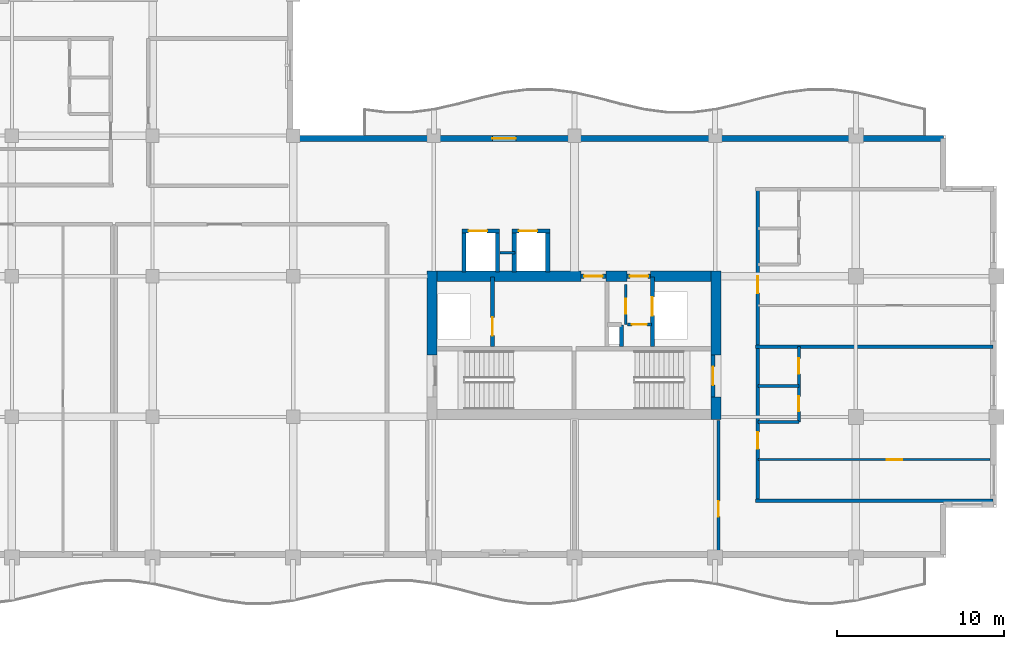
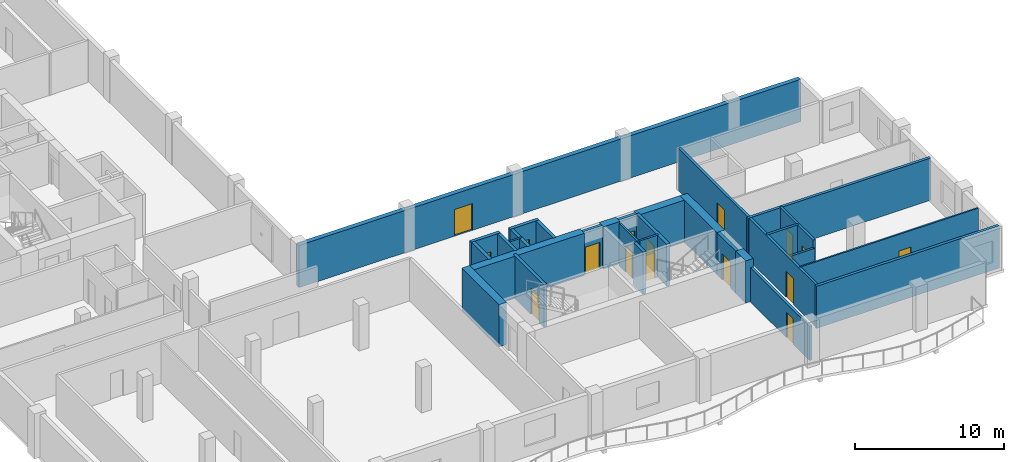
# One storey, part 4 of 12: 30 walls, 16 doors, 16 openings.
"""IFC4 building model written with IfcOpenShell, lengths in metres."""

from ifc_helpers import new_model, si_unit, direction, frame, frame_2d, origin, place, context, subcontext, project, spatial, rectangle, extrude, material, layer, layer_set, type_object, element, fill, save


model = new_model("IFC4")

# Units and contexts
model_context = context("Model", 3, precision=1e-05, world=origin(), true_north=direction((0.0, 1.0)))
body_context = subcontext(model_context, "Body", "Model", "MODEL_VIEW")
ifc_project = project(units=[si_unit("LENGTHUNIT", "METRE"), si_unit("AREAUNIT", "SQUARE_METRE"), si_unit("VOLUMEUNIT", "CUBIC_METRE"), si_unit("PLANEANGLEUNIT", "RADIAN"), si_unit("MASSUNIT", "GRAM", prefix="KILO")], contexts=[model_context])

# Site, building, storey
site_placement = place(None, origin())
site = spatial("IfcSite", under=ifc_project, at=site_placement, CompositionType="ELEMENT")
building_placement = place(site_placement, origin())
building = spatial("IfcBuilding", under=site, at=building_placement, Name="Koriwani Terraces Tower", CompositionType="ELEMENT")
storey_placement = place(building_placement, frame((0.0, 0.0, 271.199951171875)))
storey = spatial("IfcBuildingStorey", under=building, at=storey_placement, Name="L67", CompositionType="ELEMENT", Elevation=271.199951171875)

# Walls
ifc_material_1 = material(Name="Concrete C60/75", Category="concrete")
ifc_layer_1 = layer(ifc_material_1, 0.60009765625, Name="Concrete C60/75")
ifc_layer_set_1 = layer_set([ifc_layer_1], Name="Concrete C60/75")
wall_type_1 = type_object("IfcWallType", Name="WALL_CORE_RC_600", PredefinedType="SHEAR", material=ifc_layer_set_1)
wall_1_placement = place(storey_placement, frame((41.89990234375, 20.5, 0.0), z_axis=(0.0, 0.0, 1.0), x_axis=(0.0, 1.0, 0.0)))
element("IfcWall", 1, at=wall_1_placement, inside=storey, type_object=wall_type_1, Name="L67 East Split Core Shear Wall W2", PredefinedType="SHEAR", context=body_context, shape_type="SweptSolid", body=[
    extrude(rectangle(XDim=5.0, YDim=0.60009765625, at=frame_2d((2.5, 0.0))), origin(), (0.0, 0.0, 1.0), 3.469970703125),
])
wall_2_placement = place(storey_placement, frame((58.85009765625, 16.64990234375, 0.0), z_axis=(0.0, 0.0, 1.0), x_axis=(0.0, 1.0, 0.0)))
element("IfcWall", 2, at=wall_2_placement, inside=storey, type_object=wall_type_1, Name="L67 East Split Core Shear Wall E1", PredefinedType="SHEAR", context=body_context, shape_type="SweptSolid", body=[
    extrude(rectangle(XDim=1.35009765625, YDim=0.60009765625, at=frame_2d((0.675048828125, 0.0))), origin(), (0.0, 0.0, 1.0), 3.469970703125),
])
wall_3_placement = place(storey_placement, frame((58.85009765625, 20.5, 0.0), z_axis=(0.0, 0.0, 1.0), x_axis=(0.0, 1.0, 0.0)))
element("IfcWall", 3, at=wall_3_placement, inside=storey, type_object=wall_type_1, Name="L67 East Split Core Shear Wall E2", PredefinedType="SHEAR", context=body_context, shape_type="SweptSolid", body=[
    extrude(rectangle(XDim=5.0, YDim=0.60009765625, at=frame_2d((2.5, 0.0))), origin(), (0.0, 0.0, 1.0), 3.469970703125),
])
wall_4_placement = place(storey_placement, frame((42.199951171875, 25.199951171875, 0.0), z_axis=(0.0, 0.0, 1.0), x_axis=(1.0, 0.0, 0.0)))
element("IfcWall", 4, at=wall_4_placement, inside=storey, type_object=wall_type_1, Name="L67 East Split Core Shear Wall N1", PredefinedType="SHEAR", context=body_context, shape_type="SweptSolid", body=[
    extrude(rectangle(XDim=8.60009765625, YDim=0.60009765625, at=frame_2d((4.300048828125, 0.0))), origin(), (0.0, 0.0, 1.0), 3.469970703125),
])
wall_5_placement = place(storey_placement, frame((52.280029296875, 25.199951171875, 0.0), z_axis=(0.0, 0.0, 1.0), x_axis=(1.0, 0.0, 0.0)))
element("IfcWall", 5, at=wall_5_placement, inside=storey, type_object=wall_type_1, Name="L67 East Split Core Shear Wall N2", PredefinedType="SHEAR", context=body_context, shape_type="SweptSolid", body=[
    extrude(rectangle(XDim=1.27001953125, YDim=0.60009765625, at=frame_2d((0.635009765625, 0.0))), origin(), (0.0, 0.0, 1.0), 3.469970703125),
])
wall_6_placement = place(storey_placement, frame((54.949951171875, 25.199951171875, 0.0), z_axis=(0.0, 0.0, 1.0), x_axis=(1.0, 0.0, 0.0)))
element("IfcWall", 6, at=wall_6_placement, inside=storey, type_object=wall_type_1, Name="L67 East Split Core Shear Wall N3", PredefinedType="SHEAR", context=body_context, shape_type="SweptSolid", body=[
    extrude(rectangle(XDim=3.60009765625, YDim=0.60009765625, at=frame_2d((1.800048828125, 0.0))), origin(), (0.0, 0.0, 1.0), 3.469970703125),
])

# Wall, opening, door
ifc_material_2 = material(Name="Autoclaved Cellular Concrete Blockwork", Category="masonry")
ifc_layer_2 = layer(ifc_material_2, 0.199951171875, Name="Autoclaved Cellular Concrete Blockwork")
ifc_layer_set_2 = layer_set([ifc_layer_2], Name="Autoclaved Cellular Concrete Blockwork")
wall_type_2 = type_object("IfcWallType", Name="WALL_CORRIDOR_200", PredefinedType="PARTITIONING", material=ifc_layer_set_2)
wall_7_placement = place(storey_placement, frame((59.0, 8.64990234375, 0.0), z_axis=(0.0, 0.0, 1.0), x_axis=(0.0, 1.0, 0.0)))
wall_7 = element("IfcWall", 7, at=wall_7_placement, inside=storey, type_object=wall_type_2, Name="L67 Interior Wall WRZ4-EE-L67", PredefinedType="PARTITIONING", context=body_context, shape_type="SweptSolid", body=[
    extrude(rectangle(XDim=7.9501953125, YDim=0.199951171875, at=frame_2d((3.97509765625, 0.0))), origin(), (0.0, 0.0, 1.0), 2.820068359375),
])
opening_1_placement = place(wall_7_placement, frame((2.199951171875, 0.0, 0.0)))
opening_1 = element("IfcOpeningElement", 8, at=opening_1_placement, cuts=wall_7, Name="Opening D-06", PredefinedType="OPENING", context=body_context, shape_type="SweptSolid", body=[
    extrude(rectangle(XDim=0.919921875, YDim=2.10009765625, at=frame_2d((0.4599609375, 1.050048828125))), frame((0.0, 0.10986328125, 0.0), z_axis=(0.0, -1.0, 0.0), x_axis=(1.0, 0.0, 0.0)), (0.0, 0.0, 1.0), 0.219970703125),
])
ifc_material_3 = material(Name="Architectural Oak Fire Door", Category="wood")
door_type_1 = type_object("IfcDoorType", Name="DOOR_ROOM_INT_920X2100", OperationType="NOTDEFINED", PredefinedType="DOOR", material=ifc_material_3)
door_1_placement = place(opening_1_placement, origin())
door_1 = element("IfcDoor", 9, at=door_1_placement, inside=storey, type_object=door_type_1, Name="L67 Resident Laundry Room Door", OperationType="SINGLE_SWING_LEFT", OverallHeight=2.10009765625, OverallWidth=0.919921875, PredefinedType="DOOR", context=body_context, shape_type="SweptSolid", body=[
    extrude(rectangle(XDim=0.919921875, YDim=2.10009765625, at=frame_2d((0.4599609375, 1.050048828125))), frame((0.0, 0.02490234375, 0.0), z_axis=(0.0, -1.0, 0.0), x_axis=(1.0, 0.0, 0.0)), (0.0, 0.0, 1.0), 0.050048828125),
])
fill(opening_1, door_1)

# Wall, openings, doors
wall_8_placement = place(storey_placement, frame((61.35009765625, 11.800048828125, 0.0), z_axis=(0.0, 0.0, 1.0), x_axis=(0.0, 1.0, 0.0)))
wall_8 = element("IfcWall", 10, at=wall_8_placement, inside=storey, type_object=wall_type_2, Name="L67 Interior Wall WRCOR-L67-ETE-0", PredefinedType="PARTITIONING", context=body_context, shape_type="SweptSolid", body=[
    extrude(rectangle(XDim=18.599853515625, YDim=0.199951171875, at=frame_2d((9.2998046875, 0.0))), origin(), (0.0, 0.0, 1.0), 3.469970703125),
])
opening_2_placement = place(wall_8_placement, frame((3.094970703125, 0.0, 0.0)))
opening_2 = element("IfcOpeningElement", 11, at=opening_2_placement, cuts=wall_8, Name="Opening D-05", PredefinedType="OPENING", context=body_context, shape_type="SweptSolid", body=[
    extrude(rectangle(XDim=1.0, YDim=2.14990234375, at=frame_2d((0.5, 1.074951171875))), frame((0.0, 0.10986328125, 0.0), z_axis=(0.0, -1.0, 0.0), x_axis=(1.0, 0.0, 0.0)), (0.0, 0.0, 1.0), 0.219970703125),
])
opening_3_placement = place(wall_8_placement, frame((12.39501953125, 0.0, 0.0)))
opening_3 = element("IfcOpeningElement", 12, at=opening_3_placement, cuts=wall_8, Name="Opening D-05", PredefinedType="OPENING", context=body_context, shape_type="SweptSolid", body=[
    extrude(rectangle(XDim=1.0, YDim=2.14990234375, at=frame_2d((0.5, 1.074951171875))), frame((0.0, 0.10986328125, 0.0), z_axis=(0.0, -1.0, 0.0), x_axis=(1.0, 0.0, 0.0)), (0.0, 0.0, 1.0), 0.219970703125),
])
door_type_2 = type_object("IfcDoorType", Name="DOOR_SUITE_ENTRY_1000X2150", OperationType="NOTDEFINED", PredefinedType="DOOR", material=ifc_material_3)
door_2_placement = place(opening_2_placement, origin())
door_2 = element("IfcDoor", 13, at=door_2_placement, inside=storey, type_object=door_type_2, Name="Apartment 67ETE1 Entrance Door", OperationType="SINGLE_SWING_LEFT", OverallHeight=2.14990234375, OverallWidth=1.0, PredefinedType="DOOR", context=body_context, shape_type="SweptSolid", body=[
    extrude(rectangle(XDim=1.0, YDim=2.14990234375, at=frame_2d((0.5, 1.074951171875))), frame((0.0, 0.02490234375, 0.0), z_axis=(0.0, -1.0, 0.0), x_axis=(1.0, 0.0, 0.0)), (0.0, 0.0, 1.0), 0.050048828125),
])
fill(opening_2, door_2)
door_3_placement = place(opening_3_placement, origin())
door_3 = element("IfcDoor", 14, at=door_3_placement, inside=storey, type_object=door_type_2, Name="Apartment 67ETE2 Entrance Door", OperationType="SINGLE_SWING_LEFT", OverallHeight=2.14990234375, OverallWidth=1.0, PredefinedType="DOOR", context=body_context, shape_type="SweptSolid", body=[
    extrude(rectangle(XDim=1.0, YDim=2.14990234375, at=frame_2d((0.5, 1.074951171875))), frame((0.0, 0.02490234375, 0.0), z_axis=(0.0, -1.0, 0.0), x_axis=(1.0, 0.0, 0.0)), (0.0, 0.0, 1.0), 0.050048828125),
])
fill(opening_3, door_3)

# Walls
ifc_layer_3 = layer(ifc_material_2, 0.219970703125, Name="Autoclaved Cellular Concrete Blockwork")
ifc_layer_set_3 = layer_set([ifc_layer_3], Name="Autoclaved Cellular Concrete Blockwork")
wall_type_3 = type_object("IfcWallType", Name="WALL_DEMISING_220", PredefinedType="PARTITIONING", material=ifc_layer_set_3)
for number, where, z_axis, x_axis, name in (
    (15, (61.199951171875, 11.800048828125, 0.0), (0.0, 0.0, 1.0), (1.0, 0.0, 0.0), "L67 Interior Wall WRDEM-L67-ETE-0"),
    (16, (61.199951171875, 21.0, 0.0), (0.0, 0.0, 1.0), (1.0, 0.0, 0.0), "L67 Interior Wall WRDEM-L67-ETE-1"),
):
    element("IfcWall", number, at=place(storey_placement, frame(where, z_axis=z_axis, x_axis=x_axis)), inside=storey, type_object=wall_type_3, Name=name, PredefinedType="PARTITIONING", context=body_context, shape_type="SweptSolid", body=[
        extrude(rectangle(XDim=14.199951171875, YDim=0.219970703125, at=frame_2d((7.10009765625, 0.0))), origin(), (0.0, 0.0, 1.0), 3.469970703125),
    ])

# Wall, opening, door
ifc_material_4 = material(Name="Concrete C50/60", Category="concrete")
ifc_layer_4 = layer(ifc_material_4, 0.35009765625, Name="Concrete C50/60")
ifc_layer_set_4 = layer_set([ifc_layer_4], Name="Concrete C50/60")
wall_type_4 = type_object("IfcWallType", Name="WALL_EXT_BRUTALIST_350", PredefinedType="STANDARD", material=ifc_layer_set_4)
wall_9_placement = place(storey_placement, frame((33.425048828125, 33.425048828125, 0.0), z_axis=(0.0, 0.0, 1.0), x_axis=(1.0, 0.0, 0.0)))
wall_9 = element("IfcWall", 17, at=wall_9_placement, inside=storey, type_object=wall_type_4, Name="L67 Fair-Faced Brutalist Exterior Wall (NE)", PredefinedType="STANDARD", context=body_context, shape_type="SweptSolid", body=[
    extrude(rectangle(XDim=39.0, YDim=0.35009765625, at=frame_2d((19.5, 0.0))), origin(), (0.0, 0.0, 1.0), 3.469970703125),
])
opening_4_placement = place(wall_9_placement, frame((12.074951171875, 0.0, 0.0)))
opening_4 = element("IfcOpeningElement", 18, at=opening_4_placement, cuts=wall_9, Name="Opening D-09", PredefinedType="OPENING", context=body_context, shape_type="SweptSolid", body=[
    extrude(rectangle(XDim=1.39990234375, YDim=2.199951171875, at=frame_2d((0.699951171875, 1.10009765625))), frame((0.0, 0.18505859375, 0.0), z_axis=(0.0, -1.0, 0.0), x_axis=(1.0, 0.0, 0.0)), (0.0, 0.0, 1.0), 0.3701171875),
])
ifc_material_5 = material(Name="Anodised Bronze Aluminium", Category="aluminium")
door_type_3 = type_object("IfcDoorType", Name="DOOR_BALCONY_GLAZED_1400X2200", OperationType="NOTDEFINED", PredefinedType="DOOR", material=ifc_material_5)
door_4_placement = place(opening_4_placement, origin())
door_4 = element("IfcDoor", 19, at=door_4_placement, inside=storey, type_object=door_type_3, Name="L67 Inner Court Balcony Glazed Door", OperationType="SINGLE_SWING_LEFT", OverallHeight=2.199951171875, OverallWidth=1.39990234375, PredefinedType="DOOR", context=body_context, shape_type="SweptSolid", body=[
    extrude(rectangle(XDim=1.39990234375, YDim=2.199951171875, at=frame_2d((0.699951171875, 1.10009765625))), frame((0.0, 0.02490234375, 0.0), z_axis=(0.0, -1.0, 0.0), x_axis=(1.0, 0.0, 0.0)), (0.0, 0.0, 1.0), 0.050048828125),
])
fill(opening_4, door_4)

ifc_material_6 = material(Name="Fire-Rated Acoustic Gypsum Partition", Category="masonry")
ifc_layer_5 = layer(ifc_material_6, 0.125, Name="Fire-Rated Acoustic Gypsum Partition")
ifc_layer_set_5 = layer_set([ifc_layer_5], Name="Fire-Rated Acoustic Gypsum Partition")
wall_type_5 = type_object("IfcWallType", Name="WALL_INT_125", PredefinedType="PARTITIONING", material=ifc_layer_set_5)
wall_10_placement = place(storey_placement, frame((61.35009765625, 14.25, 0.0), z_axis=(0.0, 0.0, 1.0), x_axis=(1.0, 0.0, 0.0)))
wall_10 = element("IfcWall", 20, at=wall_10_placement, inside=storey, type_object=wall_type_5, Name="L67 Interior Wall WRBED1-L67-ETE-0", PredefinedType="PARTITIONING", context=body_context, shape_type="SweptSolid", body=[
    extrude(rectangle(XDim=13.869873046875, YDim=0.125, at=frame_2d((6.93505859375, 0.0))), origin(), (0.0, 0.0, 1.0), 3.469970703125),
])
opening_5_placement = place(wall_10_placement, frame((7.699951171875, 0.0, 0.0)))
opening_5 = element("IfcOpeningElement", 21, at=opening_5_placement, cuts=wall_10, Name="Opening D-06", PredefinedType="OPENING", context=body_context, shape_type="SweptSolid", body=[
    extrude(rectangle(XDim=0.919921875, YDim=2.10009765625, at=frame_2d((0.4599609375, 1.050048828125))), frame((0.0, 0.072509765625, 0.0), z_axis=(0.0, -1.0, 0.0), x_axis=(1.0, 0.0, 0.0)), (0.0, 0.0, 1.0), 0.14501953125),
])
door_5_placement = place(opening_5_placement, origin())
door_5 = element("IfcDoor", 22, at=door_5_placement, inside=storey, type_object=door_type_1, Name="Apartment 67ETE1 Master Bedroom Door", OperationType="SINGLE_SWING_RIGHT", OverallHeight=2.10009765625, OverallWidth=0.919921875, PredefinedType="DOOR", context=body_context, shape_type="SweptSolid", body=[
    extrude(rectangle(XDim=0.919921875, YDim=2.10009765625, at=frame_2d((0.4599609375, 1.050048828125))), frame((0.0, 0.02490234375, 0.0), z_axis=(0.0, -1.0, 0.0), x_axis=(1.0, 0.0, 0.0)), (0.0, 0.0, 1.0), 0.050048828125),
])
fill(opening_5, door_5)

# Wall, openings, doors
ifc_layer_6 = layer(ifc_material_6, 0.179931640625, Name="Fire-Rated Acoustic Gypsum Partition")
ifc_layer_set_6 = layer_set([ifc_layer_6], Name="Fire-Rated Acoustic Gypsum Partition")
wall_type_6 = type_object("IfcWallType", Name="WALL_PLUMBING_180", PredefinedType="PLUMBINGWALL", material=ifc_layer_set_6)
wall_11_placement = place(storey_placement, frame((63.800048828125, 16.5, 0.0), z_axis=(0.0, 0.0, 1.0), x_axis=(0.0, 1.0, 0.0)))
wall_11 = element("IfcWall", 23, at=wall_11_placement, inside=storey, type_object=wall_type_6, Name="L67 Interior Wall WRSVC-L67-ETE-0", PredefinedType="PLUMBINGWALL", context=body_context, shape_type="SweptSolid", body=[
    extrude(rectangle(XDim=4.5, YDim=0.179931640625, at=frame_2d((2.25, 0.0))), origin(), (0.0, 0.0, 1.0), 3.469970703125),
])
opening_6_placement = place(wall_11_placement, frame((0.6298828125, 0.0, 0.0)))
opening_6 = element("IfcOpeningElement", 24, at=opening_6_placement, cuts=wall_11, Name="Opening D-07", PredefinedType="OPENING", context=body_context, shape_type="SweptSolid", body=[
    extrude(rectangle(XDim=0.89990234375, YDim=2.10009765625, at=frame_2d((0.449951171875, 1.050048828125))), frame((0.0, 0.10009765625, 0.0), z_axis=(0.0, -1.0, 0.0), x_axis=(1.0, 0.0, 0.0)), (0.0, 0.0, 1.0), 0.199951171875),
])
opening_7_placement = place(wall_11_placement, frame((2.8701171875, 0.0, 0.0)))
opening_7 = element("IfcOpeningElement", 25, at=opening_7_placement, cuts=wall_11, Name="Opening D-06", PredefinedType="OPENING", context=body_context, shape_type="SweptSolid", body=[
    extrude(rectangle(XDim=0.919921875, YDim=2.10009765625, at=frame_2d((0.4599609375, 1.050048828125))), frame((0.0, 0.10009765625, 0.0), z_axis=(0.0, -1.0, 0.0), x_axis=(1.0, 0.0, 0.0)), (0.0, 0.0, 1.0), 0.199951171875),
])
door_type_4 = type_object("IfcDoorType", Name="DOOR_BATH_INT_900X2100", OperationType="NOTDEFINED", PredefinedType="DOOR", material=ifc_material_3)
door_6_placement = place(opening_6_placement, origin())
door_6 = element("IfcDoor", 26, at=door_6_placement, inside=storey, type_object=door_type_4, Name="Apartment 67ETE1 Bathroom Door", OperationType="SINGLE_SWING_RIGHT", OverallHeight=2.10009765625, OverallWidth=0.89990234375, PredefinedType="DOOR", context=body_context, shape_type="SweptSolid", body=[
    extrude(rectangle(XDim=0.89990234375, YDim=2.10009765625, at=frame_2d((0.449951171875, 1.050048828125))), frame((0.0, 0.02490234375, 0.0), z_axis=(0.0, -1.0, 0.0), x_axis=(1.0, 0.0, 0.0)), (0.0, 0.0, 1.0), 0.050048828125),
])
fill(opening_6, door_6)
door_7_placement = place(opening_7_placement, origin())
door_7 = element("IfcDoor", 27, at=door_7_placement, inside=storey, type_object=door_type_1, Name="Apartment 67ETE1 Kitchen Door", OperationType="SINGLE_SWING_LEFT", OverallHeight=2.10009765625, OverallWidth=0.919921875, PredefinedType="DOOR", context=body_context, shape_type="SweptSolid", body=[
    extrude(rectangle(XDim=0.919921875, YDim=2.10009765625, at=frame_2d((0.4599609375, 1.050048828125))), frame((0.0, 0.02490234375, 0.0), z_axis=(0.0, -1.0, 0.0), x_axis=(1.0, 0.0, 0.0)), (0.0, 0.0, 1.0), 0.050048828125),
])
fill(opening_7, door_7)

# Walls
wall_12_placement = place(storey_placement, frame((61.35009765625, 16.5, 0.0), z_axis=(0.0, 0.0, 1.0), x_axis=(1.0, 0.0, 0.0)))
element("IfcWall", 28, at=wall_12_placement, inside=storey, type_object=wall_type_6, Name="L67 Interior Wall WRSVCS-L67-ETE-0", PredefinedType="PLUMBINGWALL", context=body_context, shape_type="SweptSolid", body=[
    extrude(rectangle(XDim=2.449951171875, YDim=0.179931640625, at=frame_2d((1.22509765625, 0.0))), origin(), (0.0, 0.0, 1.0), 2.820068359375),
])
wall_13_placement = place(storey_placement, frame((61.35009765625, 18.659912109375, 0.0), z_axis=(0.0, 0.0, 1.0), x_axis=(1.0, 0.0, 0.0)))
element("IfcWall", 29, at=wall_13_placement, inside=storey, type_object=wall_type_6, Name="L67 Interior Wall WRSVCM-L67-ETE-0", PredefinedType="PLUMBINGWALL", context=body_context, shape_type="SweptSolid", body=[
    extrude(rectangle(XDim=2.449951171875, YDim=0.179931640625, at=frame_2d((1.22509765625, 0.0))), origin(), (0.0, 0.0, 1.0), 3.469970703125),
])

# Wall, opening, door
ifc_material_7 = material(Name="Concrete C40/50", Category="concrete")
ifc_layer_7 = layer(ifc_material_7, 0.25, Name="Concrete C40/50")
ifc_layer_set_7 = layer_set([ifc_layer_7], Name="Concrete C40/50")
wall_type_7 = type_object("IfcWallType", Name="WALL_SHAFT_RATED_250", PredefinedType="SOLIDWALL", material=ifc_layer_set_7)
wall_14_placement = place(storey_placement, frame((58.675048828125, 18.0, 0.0), z_axis=(0.0, 0.0, 1.0), x_axis=(0.0, 1.0, 0.0)))
wall_14 = element("IfcWall", 30, at=wall_14_placement, inside=storey, type_object=wall_type_7, Name="L67 Interior Wall WIN-CE-L67-STE", PredefinedType="SOLIDWALL", context=body_context, shape_type="SweptSolid", body=[
    extrude(rectangle(XDim=2.5, YDim=0.25, at=frame_2d((1.25, 0.0))), origin(), (0.0, 0.0, 1.0), 3.469970703125),
])
opening_8_placement = place(wall_14_placement, frame((0.699951171875, 0.0, 0.0)))
opening_8 = element("IfcOpeningElement", 31, at=opening_8_placement, cuts=wall_14, Name="Opening D-03", PredefinedType="OPENING", context=body_context, shape_type="SweptSolid", body=[
    extrude(rectangle(XDim=1.10009765625, YDim=2.14990234375, at=frame_2d((0.550048828125, 1.074951171875))), frame((0.0, 0.135009765625, 0.0), z_axis=(0.0, -1.0, 0.0), x_axis=(1.0, 0.0, 0.0)), (0.0, 0.0, 1.0), 0.27001953125),
])
ifc_material_8 = material(Name="Steel ASTM A572 Grade 50", Category="steel")
door_type_5 = type_object("IfcDoorType", Name="DOOR_STAIR_FIRE_1100X2150", OperationType="NOTDEFINED", PredefinedType="DOOR", material=ifc_material_8)
door_8_placement = place(opening_8_placement, origin())
door_8 = element("IfcDoor", 32, at=door_8_placement, inside=storey, type_object=door_type_5, Name="L67 Exit Stair ST-E2 Door", OperationType="SINGLE_SWING_RIGHT", OverallHeight=2.14990234375, OverallWidth=1.10009765625, PredefinedType="DOOR", context=body_context, shape_type="SweptSolid", body=[
    extrude(rectangle(XDim=1.10009765625, YDim=2.14990234375, at=frame_2d((0.550048828125, 1.074951171875))), frame((0.0, 0.02490234375, 0.0), z_axis=(0.0, -1.0, 0.0), x_axis=(1.0, 0.0, 0.0)), (0.0, 0.0, 1.0), 0.050048828125),
])
fill(opening_8, door_8)

wall_15_placement = place(storey_placement, frame((45.5, 21.0, 0.0), z_axis=(0.0, 0.0, 1.0), x_axis=(0.0, 1.0, 0.0)))
wall_15 = element("IfcWall", 33, at=wall_15_placement, inside=storey, type_object=wall_type_7, Name="L67 Interior Wall WIN-CE-L67-FE", PredefinedType="SOLIDWALL", context=body_context, shape_type="SweptSolid", body=[
    extrude(rectangle(XDim=4.14990234375, YDim=0.25, at=frame_2d((2.074951171875, 0.0))), origin(), (0.0, 0.0, 1.0), 3.469970703125),
])
opening_9_placement = place(wall_15_placement, frame((0.64990234375, 0.0, 0.0)))
opening_9 = element("IfcOpeningElement", 34, at=opening_9_placement, cuts=wall_15, Name="Opening LD-01", PredefinedType="OPENING", context=body_context, shape_type="SweptSolid", body=[
    extrude(rectangle(XDim=1.10009765625, YDim=2.14990234375, at=frame_2d((0.550048828125, 1.074951171875))), frame((0.0, 0.135009765625, 0.0), z_axis=(0.0, -1.0, 0.0), x_axis=(1.0, 0.0, 0.0)), (0.0, 0.0, 1.0), 0.27001953125),
])
door_type_6 = type_object("IfcDoorType", Name="DOOR_LIFT_LANDING_1100X2200", OperationType="NOTDEFINED", PredefinedType="DOOR", material=ifc_material_8)
door_9_placement = place(opening_9_placement, origin())
door_9 = element("IfcDoor", 35, at=door_9_placement, inside=storey, type_object=door_type_6, Name="L67 Firefighting Lift FE-02 Landing Door", OperationType="SLIDING_TO_LEFT", OverallHeight=2.14990234375, OverallWidth=1.10009765625, PredefinedType="DOOR", context=body_context, shape_type="SweptSolid", body=[
    extrude(rectangle(XDim=1.10009765625, YDim=2.14990234375, at=frame_2d((0.550048828125, 1.074951171875))), frame((0.0, 0.02490234375, 0.0), z_axis=(0.0, -1.0, 0.0), x_axis=(1.0, 0.0, 0.0)), (0.0, 0.0, 1.0), 0.050048828125),
])
fill(opening_9, door_9)

wall_16_placement = place(storey_placement, frame((50.800048828125, 25.199951171875, 0.0), z_axis=(0.0, 0.0, 1.0), x_axis=(1.0, 0.0, 0.0)))
wall_16 = element("IfcWall", 36, at=wall_16_placement, inside=storey, type_object=wall_type_7, Name="L67 Interior Wall WIN-CE-L67-NP", PredefinedType="SOLIDWALL", context=body_context, shape_type="SweptSolid", body=[
    extrude(rectangle(XDim=1.47998046875, YDim=0.25, at=frame_2d((0.739990234375, 0.0))), origin(), (0.0, 0.0, 1.0), 3.469970703125),
])
opening_10_placement = place(wall_16_placement, frame((0.179931640625, 0.0, 0.0)))
opening_10 = element("IfcOpeningElement", 37, at=opening_10_placement, cuts=wall_16, Name="Opening D-03", PredefinedType="OPENING", context=body_context, shape_type="SweptSolid", body=[
    extrude(rectangle(XDim=1.10009765625, YDim=2.14990234375, at=frame_2d((0.550048828125, 1.074951171875))), frame((0.0, 0.135009765625, 0.0), z_axis=(0.0, -1.0, 0.0), x_axis=(1.0, 0.0, 0.0)), (0.0, 0.0, 1.0), 0.27001953125),
])
door_10_placement = place(opening_10_placement, origin())
door_10 = element("IfcDoor", 38, at=door_10_placement, inside=storey, type_object=door_type_5, Name="L67 East Firefighting Lobby Door", OperationType="SINGLE_SWING_LEFT", OverallHeight=2.14990234375, OverallWidth=1.10009765625, PredefinedType="DOOR", context=body_context, shape_type="SweptSolid", body=[
    extrude(rectangle(XDim=1.10009765625, YDim=2.14990234375, at=frame_2d((0.550048828125, 1.074951171875))), frame((0.0, 0.02490234375, 0.0), z_axis=(0.0, -1.0, 0.0), x_axis=(1.0, 0.0, 0.0)), (0.0, 0.0, 1.0), 0.050048828125),
])
fill(opening_10, door_10)

wall_17_placement = place(storey_placement, frame((55.050048828125, 21.0, 0.0), z_axis=(0.0, 0.0, 1.0), x_axis=(0.0, 1.0, 0.0)))
wall_17 = element("IfcWall", 39, at=wall_17_placement, inside=storey, type_object=wall_type_7, Name="L67 Interior Wall WIN-CE-L67-SE", PredefinedType="SOLIDWALL", context=body_context, shape_type="SweptSolid", body=[
    extrude(rectangle(XDim=4.14990234375, YDim=0.25, at=frame_2d((2.074951171875, 0.0))), origin(), (0.0, 0.0, 1.0), 3.469970703125),
])
opening_11_placement = place(wall_17_placement, frame((1.85009765625, 0.0, 0.0)))
opening_11 = element("IfcOpeningElement", 40, at=opening_11_placement, cuts=wall_17, Name="Opening LD-01", PredefinedType="OPENING", context=body_context, shape_type="SweptSolid", body=[
    extrude(rectangle(XDim=1.10009765625, YDim=2.14990234375, at=frame_2d((0.550048828125, 1.074951171875))), frame((0.0, 0.135009765625, 0.0), z_axis=(0.0, -1.0, 0.0), x_axis=(1.0, 0.0, 0.0)), (0.0, 0.0, 1.0), 0.27001953125),
])
door_11_placement = place(opening_11_placement, origin())
door_11 = element("IfcDoor", 41, at=door_11_placement, inside=storey, type_object=door_type_6, Name="L67 Goods Lift SE-02 Landing Door", OperationType="SLIDING_TO_LEFT", OverallHeight=2.14990234375, OverallWidth=1.10009765625, PredefinedType="DOOR", context=body_context, shape_type="SweptSolid", body=[
    extrude(rectangle(XDim=1.10009765625, YDim=2.14990234375, at=frame_2d((0.550048828125, 1.074951171875))), frame((0.0, 0.02490234375, 0.0), z_axis=(0.0, -1.0, 0.0), x_axis=(1.0, 0.0, 0.0)), (0.0, 0.0, 1.0), 0.050048828125),
])
fill(opening_11, door_11)

wall_18_placement = place(storey_placement, frame((53.550048828125, 25.199951171875, 0.0), z_axis=(0.0, 0.0, 1.0), x_axis=(1.0, 0.0, 0.0)))
wall_18 = element("IfcWall", 42, at=wall_18_placement, inside=storey, type_object=wall_type_7, Name="L67 Interior Wall WIN-CE-L67-NP2", PredefinedType="SOLIDWALL", context=body_context, shape_type="SweptSolid", body=[
    extrude(rectangle(XDim=1.39990234375, YDim=0.25, at=frame_2d((0.699951171875, 0.0))), origin(), (0.0, 0.0, 1.0), 3.469970703125),
])
opening_12_placement = place(wall_18_placement, frame((0.14990234375, 0.0, 0.0)))
opening_12 = element("IfcOpeningElement", 43, at=opening_12_placement, cuts=wall_18, Name="Opening D-03", PredefinedType="OPENING", context=body_context, shape_type="SweptSolid", body=[
    extrude(rectangle(XDim=1.10009765625, YDim=2.14990234375, at=frame_2d((0.550048828125, 1.074951171875))), frame((0.0, 0.135009765625, 0.0), z_axis=(0.0, -1.0, 0.0), x_axis=(1.0, 0.0, 0.0)), (0.0, 0.0, 1.0), 0.27001953125),
])
door_12_placement = place(opening_12_placement, origin())
door_12 = element("IfcDoor", 44, at=door_12_placement, inside=storey, type_object=door_type_5, Name="L67 East Goods Lift Lobby Door", OperationType="SINGLE_SWING_RIGHT", OverallHeight=2.14990234375, OverallWidth=1.10009765625, PredefinedType="DOOR", context=body_context, shape_type="SweptSolid", body=[
    extrude(rectangle(XDim=1.10009765625, YDim=2.14990234375, at=frame_2d((0.550048828125, 1.074951171875))), frame((0.0, 0.02490234375, 0.0), z_axis=(0.0, -1.0, 0.0), x_axis=(1.0, 0.0, 0.0)), (0.0, 0.0, 1.0), 0.050048828125),
])
fill(opening_12, door_12)

# Wall
wall_19_placement = place(storey_placement, frame((53.199951171875, 21.0, 0.0), z_axis=(0.0, 0.0, 1.0), x_axis=(0.0, 1.0, 0.0)))
element("IfcWall", 45, at=wall_19_placement, inside=storey, type_object=wall_type_7, Name="L67 Interior Wall WIN-CE-L67-RS1", PredefinedType="SOLIDWALL", context=body_context, shape_type="SweptSolid", body=[
    extrude(rectangle(XDim=1.300048828125, YDim=0.25, at=frame_2d((0.64990234375, 0.0))), origin(), (0.0, 0.0, 1.0), 3.469970703125),
])

# Wall, opening, door
wall_20_placement = place(storey_placement, frame((43.675048828125, 27.89990234375, 0.0), z_axis=(0.0, 0.0, 1.0), x_axis=(1.0, 0.0, 0.0)))
wall_20 = element("IfcWall", 46, at=wall_20_placement, inside=storey, type_object=wall_type_7, Name="L67 Interior Wall WIN-LF-PE-H3-L67-F", PredefinedType="SOLIDWALL", context=body_context, shape_type="SweptSolid", body=[
    extrude(rectangle(XDim=2.25, YDim=0.25, at=frame_2d((1.125, 0.0))), origin(), (0.0, 0.0, 1.0), 3.469970703125),
])
opening_13_placement = place(wall_20_placement, frame((0.39990234375, 0.0, 0.0)))
opening_13 = element("IfcOpeningElement", 47, at=opening_13_placement, cuts=wall_20, Name="Opening LD-01", PredefinedType="OPENING", context=body_context, shape_type="SweptSolid", body=[
    extrude(rectangle(XDim=1.10009765625, YDim=2.14990234375, at=frame_2d((0.550048828125, 1.074951171875))), frame((0.0, 0.135009765625, 0.0), z_axis=(0.0, -1.0, 0.0), x_axis=(1.0, 0.0, 0.0)), (0.0, 0.0, 1.0), 0.27001953125),
])
door_13_placement = place(opening_13_placement, origin())
door_13 = element("IfcDoor", 48, at=door_13_placement, inside=storey, type_object=door_type_6, Name="L67 Passenger Lift PE-H3 Landing Door", OperationType="SLIDING_TO_LEFT", OverallHeight=2.14990234375, OverallWidth=1.10009765625, PredefinedType="DOOR", context=body_context, shape_type="SweptSolid", body=[
    extrude(rectangle(XDim=1.10009765625, YDim=2.14990234375, at=frame_2d((0.550048828125, 1.074951171875))), frame((0.0, 0.02490234375, 0.0), z_axis=(0.0, -1.0, 0.0), x_axis=(1.0, 0.0, 0.0)), (0.0, 0.0, 1.0), 0.050048828125),
])
fill(opening_13, door_13)

# Walls
for number, where, z_axis, x_axis, name in (
    (49, (43.800048828125, 25.449951171875, 0.0), (0.0, 0.0, 1.0), (0.0, 1.0, 0.0), "L67 Interior Wall WIN-LF-PE-H3-L67-W"),
    (50, (45.800048828125, 25.449951171875, 0.0), (0.0, 0.0, 1.0), (0.0, 1.0, 0.0), "L67 Interior Wall WIN-LF-PE-H3-L67-E"),
):
    element("IfcWall", number, at=place(storey_placement, frame(where, z_axis=z_axis, x_axis=x_axis)), inside=storey, type_object=wall_type_7, Name=name, PredefinedType="SOLIDWALL", context=body_context, shape_type="SweptSolid", body=[
        extrude(rectangle(XDim=2.324951171875, YDim=0.25, at=frame_2d((1.16259765625, 0.0))), origin(), (0.0, 0.0, 1.0), 3.469970703125),
    ])

# Wall, opening, door
wall_21_placement = place(storey_placement, frame((46.675048828125, 27.89990234375, 0.0), z_axis=(0.0, 0.0, 1.0), x_axis=(1.0, 0.0, 0.0)))
wall_21 = element("IfcWall", 51, at=wall_21_placement, inside=storey, type_object=wall_type_7, Name="L67 Interior Wall WIN-LF-PE-H4-L67-F", PredefinedType="SOLIDWALL", context=body_context, shape_type="SweptSolid", body=[
    extrude(rectangle(XDim=2.25, YDim=0.25, at=frame_2d((1.125, 0.0))), origin(), (0.0, 0.0, 1.0), 3.469970703125),
])
opening_14_placement = place(wall_21_placement, frame((0.39990234375, 0.0, 0.0)))
opening_14 = element("IfcOpeningElement", 52, at=opening_14_placement, cuts=wall_21, Name="Opening LD-01", PredefinedType="OPENING", context=body_context, shape_type="SweptSolid", body=[
    extrude(rectangle(XDim=1.10009765625, YDim=2.14990234375, at=frame_2d((0.550048828125, 1.074951171875))), frame((0.0, 0.135009765625, 0.0), z_axis=(0.0, -1.0, 0.0), x_axis=(1.0, 0.0, 0.0)), (0.0, 0.0, 1.0), 0.27001953125),
])
door_14_placement = place(opening_14_placement, origin())
door_14 = element("IfcDoor", 53, at=door_14_placement, inside=storey, type_object=door_type_6, Name="L67 Passenger Lift PE-H4 Landing Door", OperationType="SLIDING_TO_LEFT", OverallHeight=2.14990234375, OverallWidth=1.10009765625, PredefinedType="DOOR", context=body_context, shape_type="SweptSolid", body=[
    extrude(rectangle(XDim=1.10009765625, YDim=2.14990234375, at=frame_2d((0.550048828125, 1.074951171875))), frame((0.0, 0.02490234375, 0.0), z_axis=(0.0, -1.0, 0.0), x_axis=(1.0, 0.0, 0.0)), (0.0, 0.0, 1.0), 0.050048828125),
])
fill(opening_14, door_14)

# Walls
for number, where, z_axis, x_axis, name in (
    (54, (46.800048828125, 25.449951171875, 0.0), (0.0, 0.0, 1.0), (0.0, 1.0, 0.0), "L67 Interior Wall WIN-LF-PE-H4-L67-W"),
    (55, (48.800048828125, 25.449951171875, 0.0), (0.0, 0.0, 1.0), (0.0, 1.0, 0.0), "L67 Interior Wall WIN-LF-PE-H4-L67-E"),
):
    element("IfcWall", number, at=place(storey_placement, frame(where, z_axis=z_axis, x_axis=x_axis)), inside=storey, type_object=wall_type_7, Name=name, PredefinedType="SOLIDWALL", context=body_context, shape_type="SweptSolid", body=[
        extrude(rectangle(XDim=2.324951171875, YDim=0.25, at=frame_2d((1.16259765625, 0.0))), origin(), (0.0, 0.0, 1.0), 3.469970703125),
    ])

# Wall, opening, door
ifc_layer_8 = layer(ifc_material_6, 0.159912109375, Name="Fire-Rated Acoustic Gypsum Partition")
ifc_layer_set_8 = layer_set([ifc_layer_8], Name="Fire-Rated Acoustic Gypsum Partition")
wall_type_8 = type_object("IfcWallType", Name="WALL_SUITE_160", PredefinedType="PARTITIONING", material=ifc_layer_set_8)
wall_22_placement = place(storey_placement, frame((53.56005859375, 22.320068359375, 0.0), z_axis=(0.0, 0.0, 1.0), x_axis=(1.0, 0.0, 0.0)))
wall_22 = element("IfcWall", 56, at=wall_22_placement, inside=storey, type_object=wall_type_8, Name="L67 Interior Wall WIN-CE-L67-SV1A", PredefinedType="PARTITIONING", context=body_context, shape_type="SweptSolid", body=[
    extrude(rectangle(XDim=1.43994140625, YDim=0.159912109375, at=frame_2d((0.719970703125, 0.0))), origin(), (0.0, 0.0, 1.0), 3.469970703125),
])
opening_15_placement = place(wall_22_placement, frame((0.260009765625, 0.0, 0.0)))
opening_15 = element("IfcOpeningElement", 57, at=opening_15_placement, cuts=wall_22, Name="Opening D-07", PredefinedType="OPENING", context=body_context, shape_type="SweptSolid", body=[
    extrude(rectangle(XDim=0.89990234375, YDim=2.10009765625, at=frame_2d((0.449951171875, 1.050048828125))), frame((0.0, 0.08984375, 0.0), z_axis=(0.0, -1.0, 0.0), x_axis=(1.0, 0.0, 0.0)), (0.0, 0.0, 1.0), 0.179931640625),
])
door_15_placement = place(opening_15_placement, origin())
door_15 = element("IfcDoor", 58, at=door_15_placement, inside=storey, type_object=door_type_4, Name="L67 East Telecom Room Door", OperationType="SINGLE_SWING_LEFT", OverallHeight=2.10009765625, OverallWidth=0.89990234375, PredefinedType="DOOR", context=body_context, shape_type="SweptSolid", body=[
    extrude(rectangle(XDim=0.89990234375, YDim=2.10009765625, at=frame_2d((0.449951171875, 1.050048828125))), frame((0.0, 0.02490234375, 0.0), z_axis=(0.0, -1.0, 0.0), x_axis=(1.0, 0.0, 0.0)), (0.0, 0.0, 1.0), 0.050048828125),
])
fill(opening_15, door_15)

wall_23_placement = place(storey_placement, frame((53.4599609375, 22.320068359375, 0.0), z_axis=(0.0, 0.0, 1.0), x_axis=(0.0, 1.0, 0.0)))
wall_23 = element("IfcWall", 59, at=wall_23_placement, inside=storey, type_object=wall_type_8, Name="L67 Interior Wall WIN-CE-L67-SV1B", PredefinedType="PARTITIONING", context=body_context, shape_type="SweptSolid", body=[
    extrude(rectangle(XDim=2.39990234375, YDim=0.159912109375, at=frame_2d((1.199951171875, 0.0))), origin(), (0.0, 0.0, 1.0), 3.469970703125),
])
opening_16_placement = place(wall_23_placement, frame((0.64990234375, 0.0, 0.0)))
opening_16 = element("IfcOpeningElement", 60, at=opening_16_placement, cuts=wall_23, Name="Opening D-07", PredefinedType="OPENING", context=body_context, shape_type="SweptSolid", body=[
    extrude(rectangle(XDim=0.89990234375, YDim=2.10009765625, at=frame_2d((0.449951171875, 1.050048828125))), frame((0.0, 0.08984375, 0.0), z_axis=(0.0, -1.0, 0.0), x_axis=(1.0, 0.0, 0.0)), (0.0, 0.0, 1.0), 0.179931640625),
])
door_16_placement = place(opening_16_placement, origin())
door_16 = element("IfcDoor", 61, at=door_16_placement, inside=storey, type_object=door_type_4, Name="L67 East Cleaners Closet Door", OperationType="SINGLE_SWING_RIGHT", OverallHeight=2.10009765625, OverallWidth=0.89990234375, PredefinedType="DOOR", context=body_context, shape_type="SweptSolid", body=[
    extrude(rectangle(XDim=0.89990234375, YDim=2.10009765625, at=frame_2d((0.449951171875, 1.050048828125))), frame((0.0, 0.02490234375, 0.0), z_axis=(0.0, -1.0, 0.0), x_axis=(1.0, 0.0, 0.0)), (0.0, 0.0, 1.0), 0.050048828125),
])
fill(opening_16, door_16)

# Wall
wall_24_placement = place(storey_placement, frame((45.9599609375, 26.60009765625, 0.0), z_axis=(0.0, 0.0, 1.0), x_axis=(1.0, 0.0, 0.0)))
element("IfcWall", 62, at=wall_24_placement, inside=storey, type_object=wall_type_8, Name="L67 Interior Wall WIN-LF-PEH34-MID-L67", PredefinedType="PARTITIONING", context=body_context, shape_type="SweptSolid", body=[
    extrude(rectangle(XDim=0.880126953125, YDim=0.159912109375, at=frame_2d((0.43994140625, 0.0))), origin(), (0.0, 0.0, 1.0), 3.469970703125),
])

save(model, "model.ifc")
